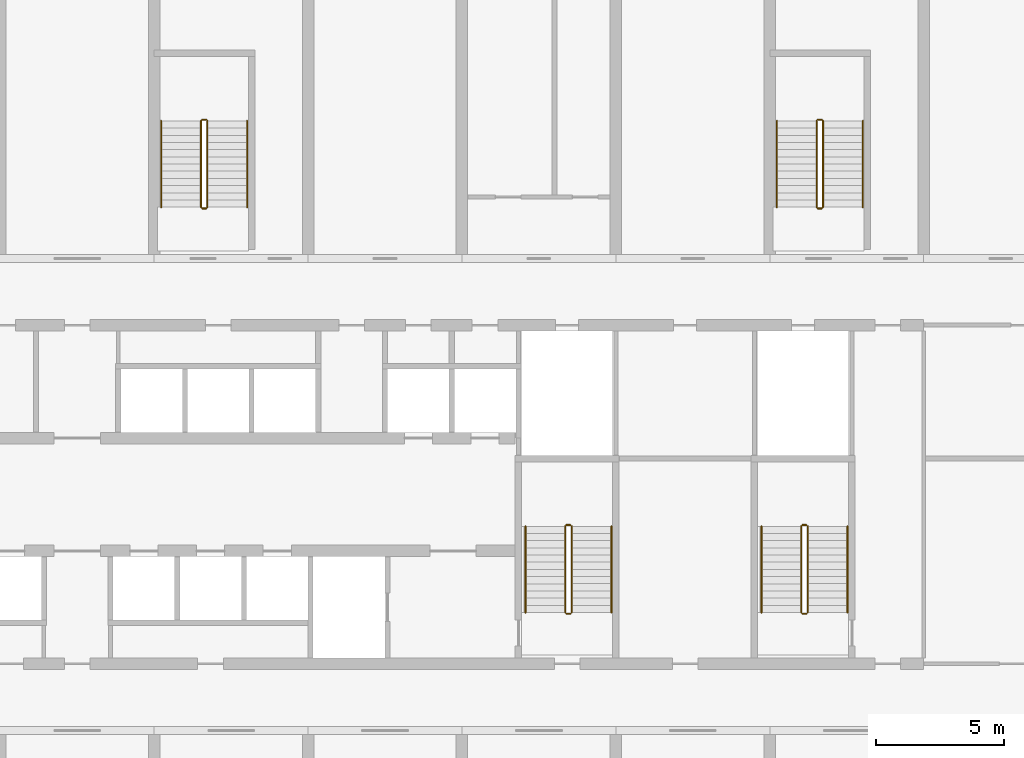
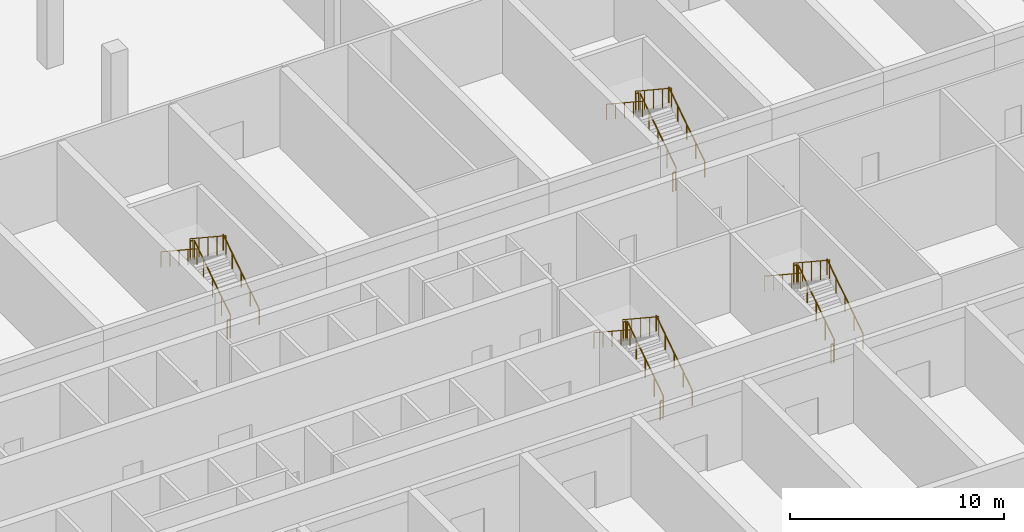
# One storey, part 19 of 20: 24 railings.
"""IFC4 building model written with IfcOpenShell, lengths in metres."""

from ifc_helpers import new_model, si_unit, direction, frame, origin, origin_2d, place, context, subcontext, project, spatial, circle, extrude, material, type_object, element, save


model = new_model("IFC4")

# Units and contexts
model_context = context("Model", 3, precision=1e-05, world=origin(), true_north=direction((0.0, 1.0)))
body_context = subcontext(model_context, "Body", "Model", "MODEL_VIEW")
ifc_project = project(units=[si_unit("LENGTHUNIT", "METRE"), si_unit("AREAUNIT", "SQUARE_METRE"), si_unit("VOLUMEUNIT", "CUBIC_METRE"), si_unit("PLANEANGLEUNIT", "RADIAN"), si_unit("MASSUNIT", "GRAM", prefix="KILO")], contexts=[model_context])

# Site, building, storey
site_placement = place(None, origin())
site = spatial("IfcSite", under=ifc_project, at=site_placement, CompositionType="ELEMENT")
building_placement = place(site_placement, origin())
building = spatial("IfcBuilding", under=site, at=building_placement, Name="Poui Terraces", CompositionType="ELEMENT")
storey_placement = place(building_placement, frame((0.0, 0.0, 6.0)))
storey = spatial("IfcBuildingStorey", under=building, at=storey_placement, Name="L01", CompositionType="ELEMENT", Elevation=6.0)

# Railings
ifc_material_1 = material(Name="Galvanised steel balustrade", Category="steel")
railing_type_1 = type_object("IfcRailingType", Name="STAIR GUARD 1100", PredefinedType="GUARDRAIL", material=ifc_material_1)
railing_1_placement = place(storey_placement, frame((70.27490234375, 16.60009765625, 0.1845703125)))
element("IfcRailing", 1, at=railing_1_placement, inside=storey, type_object=railing_type_1, Name="L01 ST-CE stair guard 1", PredefinedType="GUARDRAIL", context=body_context, shape_type="SweptSolid", body=[
    extrude(circle(Radius=0.02392578125, at=origin_2d()), frame((0.0, 0.0, 1.076171875), z_axis=(0.0, 0.834858096282, 0.550465220583), x_axis=(-1.0, 0.0, 0.0)), (0.0, 0.0, 1.0), 4.0244140625),
    extrude(circle(Radius=0.02099609375, at=origin_2d()), origin(), (0.0, 0.0, 1.0), 1.052001953125),
    extrude(circle(Radius=0.02099609375, at=origin_2d()), frame((0.0, 0.83984375, 0.5537109375)), (0.0, 0.0, 1.0), 1.052001953125),
    extrude(circle(Radius=0.02099609375, at=origin_2d()), frame((0.0, 1.679931640625, 1.107666015625)), (0.0, 0.0, 1.0), 1.052001953125),
    extrude(circle(Radius=0.02099609375, at=origin_2d()), frame((0.0, 2.52001953125, 1.66162109375)), (0.0, 0.0, 1.0), 1.052001953125),
    extrude(circle(Radius=0.02099609375, at=origin_2d()), frame((0.0, 3.35986328125, 2.21533203125)), (0.0, 0.0, 1.0), 1.052001953125),
])
railing_2_placement = place(storey_placement, frame((70.22509765625, 20.010009765625, 2.39990234375)))
element("IfcRailing", 2, at=railing_2_placement, inside=storey, type_object=railing_type_1, Name="L01 ST-CE stair guard 2", PredefinedType="GUARDRAIL", context=body_context, shape_type="SweptSolid", body=[
    extrude(circle(Radius=0.02392578125, at=origin_2d()), frame((0.0, 0.0, 1.076171875), z_axis=(-1.0, 0.0, 0.0), x_axis=(0.0, -1.0, 0.0)), (0.0, 0.0, 1.0), 0.150146484375),
    extrude(circle(Radius=0.02099609375, at=origin_2d()), origin(), (0.0, 0.0, 1.0), 1.052001953125),
    extrude(circle(Radius=0.02099609375, at=origin_2d()), frame((-0.150146484375, 0.0, 0.0)), (0.0, 0.0, 1.0), 1.052001953125),
])
railing_3_placement = place(storey_placement, frame((70.02490234375, 19.9599609375, 2.584716796875)))
element("IfcRailing", 3, at=railing_3_placement, inside=storey, type_object=railing_type_1, Name="L01 ST-CE stair guard 3", PredefinedType="GUARDRAIL", context=body_context, shape_type="SweptSolid", body=[
    extrude(circle(Radius=0.02392578125, at=origin_2d()), frame((0.0, 0.0, 1.076171875), z_axis=(0.0, -0.834858096282, 0.550465220583), x_axis=(1.0, 0.0, 0.0)), (0.0, 0.0, 1.0), 4.0244140625),
    extrude(circle(Radius=0.02099609375, at=origin_2d()), origin(), (0.0, 0.0, 1.0), 1.052001953125),
    extrude(circle(Radius=0.02099609375, at=origin_2d()), frame((0.0, -0.83984375, 0.5537109375)), (0.0, 0.0, 1.0), 1.052001953125),
    extrude(circle(Radius=0.02099609375, at=origin_2d()), frame((0.0, -1.679931640625, 1.107666015625)), (0.0, 0.0, 1.0), 1.052001953125),
    extrude(circle(Radius=0.02099609375, at=origin_2d()), frame((0.0, -2.52001953125, 1.66162109375)), (0.0, 0.0, 1.0), 1.052001953125),
    extrude(circle(Radius=0.02099609375, at=origin_2d()), frame((0.0, -3.35986328125, 2.21533203125)), (0.0, 0.0, 1.0), 1.052001953125),
])
railing_4_placement = place(storey_placement, frame((70.22509765625, 16.550048828125, 0.0)))
element("IfcRailing", 4, at=railing_4_placement, inside=storey, type_object=railing_type_1, Name="L01 ST-CE stair guard 4", PredefinedType="GUARDRAIL", context=body_context, shape_type="SweptSolid", body=[
    extrude(circle(Radius=0.02392578125, at=origin_2d()), frame((0.0, 0.0, 1.076171875), z_axis=(-1.0, 0.0, 0.0), x_axis=(0.0, -1.0, 0.0)), (0.0, 0.0, 1.0), 0.150146484375),
    extrude(circle(Radius=0.02099609375, at=origin_2d()), origin(), (0.0, 0.0, 1.0), 1.052001953125),
    extrude(circle(Radius=0.02099609375, at=origin_2d()), frame((-0.150146484375, 0.0, 0.0)), (0.0, 0.0, 1.0), 1.052001953125),
])
railing_5_placement = place(storey_placement, frame((79.47509765625, 16.60009765625, 0.1845703125)))
element("IfcRailing", 5, at=railing_5_placement, inside=storey, type_object=railing_type_1, Name="L01 ST-E stair guard 1", PredefinedType="GUARDRAIL", context=body_context, shape_type="SweptSolid", body=[
    extrude(circle(Radius=0.02392578125, at=origin_2d()), frame((0.0, 0.0, 1.076171875), z_axis=(0.0, 0.834858096282, 0.550465220583), x_axis=(-1.0, 0.0, 0.0)), (0.0, 0.0, 1.0), 4.0244140625),
    extrude(circle(Radius=0.02099609375, at=origin_2d()), origin(), (0.0, 0.0, 1.0), 1.052001953125),
    extrude(circle(Radius=0.02099609375, at=origin_2d()), frame((0.0, 0.83984375, 0.5537109375)), (0.0, 0.0, 1.0), 1.052001953125),
    extrude(circle(Radius=0.02099609375, at=origin_2d()), frame((0.0, 1.679931640625, 1.107666015625)), (0.0, 0.0, 1.0), 1.052001953125),
    extrude(circle(Radius=0.02099609375, at=origin_2d()), frame((0.0, 2.52001953125, 1.66162109375)), (0.0, 0.0, 1.0), 1.052001953125),
    extrude(circle(Radius=0.02099609375, at=origin_2d()), frame((0.0, 3.35986328125, 2.21533203125)), (0.0, 0.0, 1.0), 1.052001953125),
])
railing_6_placement = place(storey_placement, frame((79.425048828125, 20.010009765625, 2.39990234375)))
element("IfcRailing", 6, at=railing_6_placement, inside=storey, type_object=railing_type_1, Name="L01 ST-E stair guard 2", PredefinedType="GUARDRAIL", context=body_context, shape_type="SweptSolid", body=[
    extrude(circle(Radius=0.02392578125, at=origin_2d()), frame((0.0, 0.0, 1.076171875), z_axis=(-1.0, 0.0, 0.0), x_axis=(0.0, -1.0, 0.0)), (0.0, 0.0, 1.0), 0.150146484375),
    extrude(circle(Radius=0.02099609375, at=origin_2d()), origin(), (0.0, 0.0, 1.0), 1.052001953125),
    extrude(circle(Radius=0.02099609375, at=origin_2d()), frame((-0.150146484375, 0.0, 0.0)), (0.0, 0.0, 1.0), 1.052001953125),
])
railing_7_placement = place(storey_placement, frame((79.22509765625, 19.9599609375, 2.584716796875)))
element("IfcRailing", 7, at=railing_7_placement, inside=storey, type_object=railing_type_1, Name="L01 ST-E stair guard 3", PredefinedType="GUARDRAIL", context=body_context, shape_type="SweptSolid", body=[
    extrude(circle(Radius=0.02392578125, at=origin_2d()), frame((0.0, 0.0, 1.076171875), z_axis=(0.0, -0.834858096282, 0.550465220583), x_axis=(1.0, 0.0, 0.0)), (0.0, 0.0, 1.0), 4.0244140625),
    extrude(circle(Radius=0.02099609375, at=origin_2d()), origin(), (0.0, 0.0, 1.0), 1.052001953125),
    extrude(circle(Radius=0.02099609375, at=origin_2d()), frame((0.0, -0.83984375, 0.5537109375)), (0.0, 0.0, 1.0), 1.052001953125),
    extrude(circle(Radius=0.02099609375, at=origin_2d()), frame((0.0, -1.679931640625, 1.107666015625)), (0.0, 0.0, 1.0), 1.052001953125),
    extrude(circle(Radius=0.02099609375, at=origin_2d()), frame((0.0, -2.52001953125, 1.66162109375)), (0.0, 0.0, 1.0), 1.052001953125),
    extrude(circle(Radius=0.02099609375, at=origin_2d()), frame((0.0, -3.35986328125, 2.21533203125)), (0.0, 0.0, 1.0), 1.052001953125),
])
railing_8_placement = place(storey_placement, frame((79.425048828125, 16.550048828125, 0.0)))
element("IfcRailing", 8, at=railing_8_placement, inside=storey, type_object=railing_type_1, Name="L01 ST-E stair guard 4", PredefinedType="GUARDRAIL", context=body_context, shape_type="SweptSolid", body=[
    extrude(circle(Radius=0.02392578125, at=origin_2d()), frame((0.0, 0.0, 1.076171875), z_axis=(-1.0, 0.0, 0.0), x_axis=(0.0, -1.0, 0.0)), (0.0, 0.0, 1.0), 0.150146484375),
    extrude(circle(Radius=0.02099609375, at=origin_2d()), origin(), (0.0, 0.0, 1.0), 1.052001953125),
    extrude(circle(Radius=0.02099609375, at=origin_2d()), frame((-0.150146484375, 0.0, 0.0)), (0.0, 0.0, 1.0), 1.052001953125),
])
railing_9_placement = place(storey_placement, frame((80.074951171875, 32.39990234375, 0.1845703125)))
element("IfcRailing", 9, at=railing_9_placement, inside=storey, type_object=railing_type_1, Name="L01 ST-N2 stair guard 1", PredefinedType="GUARDRAIL", context=body_context, shape_type="SweptSolid", body=[
    extrude(circle(Radius=0.02392578125, at=origin_2d()), frame((0.0, 0.0, 1.076171875), z_axis=(0.0, 0.834876476806, 0.550437342915), x_axis=(-1.0, 0.0, 0.0)), (0.0, 0.0, 1.0), 4.024658203125),
    extrude(circle(Radius=0.02099609375, at=origin_2d()), origin(), (0.0, 0.0, 1.0), 1.052001953125),
    extrude(circle(Radius=0.02099609375, at=origin_2d()), frame((0.0, 0.840087890625, 0.5537109375)), (0.0, 0.0, 1.0), 1.052001953125),
    extrude(circle(Radius=0.02099609375, at=origin_2d()), frame((0.0, 1.68017578125, 1.107666015625)), (0.0, 0.0, 1.0), 1.052001953125),
    extrude(circle(Radius=0.02099609375, at=origin_2d()), frame((0.0, 2.52001953125, 1.66162109375)), (0.0, 0.0, 1.0), 1.052001953125),
    extrude(circle(Radius=0.02099609375, at=origin_2d()), frame((0.0, 3.360107421875, 2.21533203125)), (0.0, 0.0, 1.0), 1.052001953125),
])
railing_10_placement = place(storey_placement, frame((80.02490234375, 35.81005859375, 2.39990234375)))
element("IfcRailing", 10, at=railing_10_placement, inside=storey, type_object=railing_type_1, Name="L01 ST-N2 stair guard 2", PredefinedType="GUARDRAIL", context=body_context, shape_type="SweptSolid", body=[
    extrude(circle(Radius=0.02392578125, at=origin_2d()), frame((0.0, 0.0, 1.076171875), z_axis=(-1.0, 0.0, 0.0), x_axis=(0.0, -1.0, 0.0)), (0.0, 0.0, 1.0), 0.14990234375),
    extrude(circle(Radius=0.02099609375, at=origin_2d()), origin(), (0.0, 0.0, 1.0), 1.052001953125),
    extrude(circle(Radius=0.02099609375, at=origin_2d()), frame((-0.14990234375, 0.0, 0.0)), (0.0, 0.0, 1.0), 1.052001953125),
])
railing_11_placement = place(storey_placement, frame((79.824951171875, 35.760009765625, 2.584716796875)))
element("IfcRailing", 11, at=railing_11_placement, inside=storey, type_object=railing_type_1, Name="L01 ST-N2 stair guard 3", PredefinedType="GUARDRAIL", context=body_context, shape_type="SweptSolid", body=[
    extrude(circle(Radius=0.02392578125, at=origin_2d()), frame((0.0, 0.0, 1.076171875), z_axis=(0.0, -0.834876476806, 0.550437342915), x_axis=(1.0, 0.0, 0.0)), (0.0, 0.0, 1.0), 4.024658203125),
    extrude(circle(Radius=0.02099609375, at=origin_2d()), origin(), (0.0, 0.0, 1.0), 1.052001953125),
    extrude(circle(Radius=0.02099609375, at=origin_2d()), frame((0.0, -0.840087890625, 0.5537109375)), (0.0, 0.0, 1.0), 1.052001953125),
    extrude(circle(Radius=0.02099609375, at=origin_2d()), frame((0.0, -1.68017578125, 1.107666015625)), (0.0, 0.0, 1.0), 1.052001953125),
    extrude(circle(Radius=0.02099609375, at=origin_2d()), frame((0.0, -2.52001953125, 1.66162109375)), (0.0, 0.0, 1.0), 1.052001953125),
    extrude(circle(Radius=0.02099609375, at=origin_2d()), frame((0.0, -3.360107421875, 2.21533203125)), (0.0, 0.0, 1.0), 1.052001953125),
])
railing_12_placement = place(storey_placement, frame((80.02490234375, 32.35009765625, 0.0)))
element("IfcRailing", 12, at=railing_12_placement, inside=storey, type_object=railing_type_1, Name="L01 ST-N2 stair guard 4", PredefinedType="GUARDRAIL", context=body_context, shape_type="SweptSolid", body=[
    extrude(circle(Radius=0.02392578125, at=origin_2d()), frame((0.0, 0.0, 1.076171875), z_axis=(-1.0, 0.0, 0.0), x_axis=(0.0, -1.0, 0.0)), (0.0, 0.0, 1.0), 0.14990234375),
    extrude(circle(Radius=0.02099609375, at=origin_2d()), origin(), (0.0, 0.0, 1.0), 1.052001953125),
    extrude(circle(Radius=0.02099609375, at=origin_2d()), frame((-0.14990234375, 0.0, 0.0)), (0.0, 0.0, 1.0), 1.052001953125),
])
railing_13_placement = place(storey_placement, frame((56.074951171875, 32.39990234375, 0.1845703125)))
element("IfcRailing", 13, at=railing_13_placement, inside=storey, type_object=railing_type_1, Name="L01 ST-N3 stair guard 1", PredefinedType="GUARDRAIL", context=body_context, shape_type="SweptSolid", body=[
    extrude(circle(Radius=0.02392578125, at=origin_2d()), frame((0.0, 0.0, 1.076171875), z_axis=(0.0, 0.834876476806, 0.550437342915), x_axis=(-1.0, 0.0, 0.0)), (0.0, 0.0, 1.0), 4.024658203125),
    extrude(circle(Radius=0.02099609375, at=origin_2d()), origin(), (0.0, 0.0, 1.0), 1.052001953125),
    extrude(circle(Radius=0.02099609375, at=origin_2d()), frame((0.0, 0.840087890625, 0.5537109375)), (0.0, 0.0, 1.0), 1.052001953125),
    extrude(circle(Radius=0.02099609375, at=origin_2d()), frame((0.0, 1.68017578125, 1.107666015625)), (0.0, 0.0, 1.0), 1.052001953125),
    extrude(circle(Radius=0.02099609375, at=origin_2d()), frame((0.0, 2.52001953125, 1.66162109375)), (0.0, 0.0, 1.0), 1.052001953125),
    extrude(circle(Radius=0.02099609375, at=origin_2d()), frame((0.0, 3.360107421875, 2.21533203125)), (0.0, 0.0, 1.0), 1.052001953125),
])
railing_14_placement = place(storey_placement, frame((56.02490234375, 35.81005859375, 2.39990234375)))
element("IfcRailing", 14, at=railing_14_placement, inside=storey, type_object=railing_type_1, Name="L01 ST-N3 stair guard 2", PredefinedType="GUARDRAIL", context=body_context, shape_type="SweptSolid", body=[
    extrude(circle(Radius=0.02392578125, at=origin_2d()), frame((0.0, 0.0, 1.076171875), z_axis=(-1.0, 0.0, 0.0), x_axis=(0.0, -1.0, 0.0)), (0.0, 0.0, 1.0), 0.14990234375),
    extrude(circle(Radius=0.02099609375, at=origin_2d()), origin(), (0.0, 0.0, 1.0), 1.052001953125),
    extrude(circle(Radius=0.02099609375, at=origin_2d()), frame((-0.14990234375, 0.0, 0.0)), (0.0, 0.0, 1.0), 1.052001953125),
])
railing_15_placement = place(storey_placement, frame((55.824951171875, 35.760009765625, 2.584716796875)))
element("IfcRailing", 15, at=railing_15_placement, inside=storey, type_object=railing_type_1, Name="L01 ST-N3 stair guard 3", PredefinedType="GUARDRAIL", context=body_context, shape_type="SweptSolid", body=[
    extrude(circle(Radius=0.02392578125, at=origin_2d()), frame((0.0, 0.0, 1.076171875), z_axis=(0.0, -0.834876476806, 0.550437342915), x_axis=(1.0, 0.0, 0.0)), (0.0, 0.0, 1.0), 4.024658203125),
    extrude(circle(Radius=0.02099609375, at=origin_2d()), origin(), (0.0, 0.0, 1.0), 1.052001953125),
    extrude(circle(Radius=0.02099609375, at=origin_2d()), frame((0.0, -0.840087890625, 0.5537109375)), (0.0, 0.0, 1.0), 1.052001953125),
    extrude(circle(Radius=0.02099609375, at=origin_2d()), frame((0.0, -1.68017578125, 1.107666015625)), (0.0, 0.0, 1.0), 1.052001953125),
    extrude(circle(Radius=0.02099609375, at=origin_2d()), frame((0.0, -2.52001953125, 1.66162109375)), (0.0, 0.0, 1.0), 1.052001953125),
    extrude(circle(Radius=0.02099609375, at=origin_2d()), frame((0.0, -3.360107421875, 2.21533203125)), (0.0, 0.0, 1.0), 1.052001953125),
])
railing_16_placement = place(storey_placement, frame((56.02490234375, 32.35009765625, 0.0)))
element("IfcRailing", 16, at=railing_16_placement, inside=storey, type_object=railing_type_1, Name="L01 ST-N3 stair guard 4", PredefinedType="GUARDRAIL", context=body_context, shape_type="SweptSolid", body=[
    extrude(circle(Radius=0.02392578125, at=origin_2d()), frame((0.0, 0.0, 1.076171875), z_axis=(-1.0, 0.0, 0.0), x_axis=(0.0, -1.0, 0.0)), (0.0, 0.0, 1.0), 0.14990234375),
    extrude(circle(Radius=0.02099609375, at=origin_2d()), origin(), (0.0, 0.0, 1.0), 1.052001953125),
    extrude(circle(Radius=0.02099609375, at=origin_2d()), frame((-0.14990234375, 0.0, 0.0)), (0.0, 0.0, 1.0), 1.052001953125),
])
ifc_material_2 = material(Name="Stainless steel handrail", Category="steel")
railing_type_2 = type_object("IfcRailingType", Name="STAIR HANDRAIL 900", PredefinedType="HANDRAIL", material=ifc_material_2)
railing_17_placement = place(storey_placement, frame((71.824951171875, 16.60009765625, 0.1845703125)))
element("IfcRailing", 17, at=railing_17_placement, inside=storey, type_object=railing_type_2, Name="L01 ST-CE stair handrail 1", PredefinedType="HANDRAIL", context=body_context, shape_type="SweptSolid", body=[
    extrude(circle(Radius=0.02392578125, at=origin_2d()), frame((0.0, 0.0, 0.8759765625), z_axis=(0.0, 0.834858096282, 0.550465220583), x_axis=(-1.0, 0.0, 0.0)), (0.0, 0.0, 1.0), 4.0244140625),
    extrude(circle(Radius=0.02099609375, at=origin_2d()), origin(), (0.0, 0.0, 1.0), 0.851806640625),
    extrude(circle(Radius=0.02099609375, at=origin_2d()), frame((0.0, 0.83984375, 0.5537109375)), (0.0, 0.0, 1.0), 0.851806640625),
    extrude(circle(Radius=0.02099609375, at=origin_2d()), frame((0.0, 1.679931640625, 1.107666015625)), (0.0, 0.0, 1.0), 0.851806640625),
    extrude(circle(Radius=0.02099609375, at=origin_2d()), frame((0.0, 2.52001953125, 1.66162109375)), (0.0, 0.0, 1.0), 0.851806640625),
    extrude(circle(Radius=0.02099609375, at=origin_2d()), frame((0.0, 3.35986328125, 2.21533203125)), (0.0, 0.0, 1.0), 0.851806640625),
])
railing_18_placement = place(storey_placement, frame((68.47509765625, 19.9599609375, 2.584716796875)))
element("IfcRailing", 18, at=railing_18_placement, inside=storey, type_object=railing_type_2, Name="L01 ST-CE stair handrail 2", PredefinedType="HANDRAIL", context=body_context, shape_type="SweptSolid", body=[
    extrude(circle(Radius=0.02392578125, at=origin_2d()), frame((0.0, 0.0, 0.8759765625), z_axis=(0.0, -0.834858096282, 0.550465220583), x_axis=(1.0, 0.0, 0.0)), (0.0, 0.0, 1.0), 4.0244140625),
    extrude(circle(Radius=0.02099609375, at=origin_2d()), origin(), (0.0, 0.0, 1.0), 0.851806640625),
    extrude(circle(Radius=0.02099609375, at=origin_2d()), frame((0.0, -0.83984375, 0.5537109375)), (0.0, 0.0, 1.0), 0.851806640625),
    extrude(circle(Radius=0.02099609375, at=origin_2d()), frame((0.0, -1.679931640625, 1.107666015625)), (0.0, 0.0, 1.0), 0.851806640625),
    extrude(circle(Radius=0.02099609375, at=origin_2d()), frame((0.0, -2.52001953125, 1.66162109375)), (0.0, 0.0, 1.0), 0.851806640625),
    extrude(circle(Radius=0.02099609375, at=origin_2d()), frame((0.0, -3.35986328125, 2.21533203125)), (0.0, 0.0, 1.0), 0.851806640625),
])
railing_19_placement = place(storey_placement, frame((81.02490234375, 16.60009765625, 0.1845703125)))
element("IfcRailing", 19, at=railing_19_placement, inside=storey, type_object=railing_type_2, Name="L01 ST-E stair handrail 1", PredefinedType="HANDRAIL", context=body_context, shape_type="SweptSolid", body=[
    extrude(circle(Radius=0.02392578125, at=origin_2d()), frame((0.0, 0.0, 0.8759765625), z_axis=(0.0, 0.834858096282, 0.550465220583), x_axis=(-1.0, 0.0, 0.0)), (0.0, 0.0, 1.0), 4.0244140625),
    extrude(circle(Radius=0.02099609375, at=origin_2d()), origin(), (0.0, 0.0, 1.0), 0.851806640625),
    extrude(circle(Radius=0.02099609375, at=origin_2d()), frame((0.0, 0.83984375, 0.5537109375)), (0.0, 0.0, 1.0), 0.851806640625),
    extrude(circle(Radius=0.02099609375, at=origin_2d()), frame((0.0, 1.679931640625, 1.107666015625)), (0.0, 0.0, 1.0), 0.851806640625),
    extrude(circle(Radius=0.02099609375, at=origin_2d()), frame((0.0, 2.52001953125, 1.66162109375)), (0.0, 0.0, 1.0), 0.851806640625),
    extrude(circle(Radius=0.02099609375, at=origin_2d()), frame((0.0, 3.35986328125, 2.21533203125)), (0.0, 0.0, 1.0), 0.851806640625),
])
railing_20_placement = place(storey_placement, frame((77.675048828125, 19.9599609375, 2.584716796875)))
element("IfcRailing", 20, at=railing_20_placement, inside=storey, type_object=railing_type_2, Name="L01 ST-E stair handrail 2", PredefinedType="HANDRAIL", context=body_context, shape_type="SweptSolid", body=[
    extrude(circle(Radius=0.02392578125, at=origin_2d()), frame((0.0, 0.0, 0.8759765625), z_axis=(0.0, -0.834858096282, 0.550465220583), x_axis=(1.0, 0.0, 0.0)), (0.0, 0.0, 1.0), 4.0244140625),
    extrude(circle(Radius=0.02099609375, at=origin_2d()), origin(), (0.0, 0.0, 1.0), 0.851806640625),
    extrude(circle(Radius=0.02099609375, at=origin_2d()), frame((0.0, -0.83984375, 0.5537109375)), (0.0, 0.0, 1.0), 0.851806640625),
    extrude(circle(Radius=0.02099609375, at=origin_2d()), frame((0.0, -1.679931640625, 1.107666015625)), (0.0, 0.0, 1.0), 0.851806640625),
    extrude(circle(Radius=0.02099609375, at=origin_2d()), frame((0.0, -2.52001953125, 1.66162109375)), (0.0, 0.0, 1.0), 0.851806640625),
    extrude(circle(Radius=0.02099609375, at=origin_2d()), frame((0.0, -3.35986328125, 2.21533203125)), (0.0, 0.0, 1.0), 0.851806640625),
])
railing_21_placement = place(storey_placement, frame((81.625, 32.39990234375, 0.1845703125)))
element("IfcRailing", 21, at=railing_21_placement, inside=storey, type_object=railing_type_2, Name="L01 ST-N2 stair handrail 1", PredefinedType="HANDRAIL", context=body_context, shape_type="SweptSolid", body=[
    extrude(circle(Radius=0.02392578125, at=origin_2d()), frame((0.0, 0.0, 0.8759765625), z_axis=(0.0, 0.834876476806, 0.550437342915), x_axis=(-1.0, 0.0, 0.0)), (0.0, 0.0, 1.0), 4.024658203125),
    extrude(circle(Radius=0.02099609375, at=origin_2d()), origin(), (0.0, 0.0, 1.0), 0.851806640625),
    extrude(circle(Radius=0.02099609375, at=origin_2d()), frame((0.0, 0.840087890625, 0.5537109375)), (0.0, 0.0, 1.0), 0.851806640625),
    extrude(circle(Radius=0.02099609375, at=origin_2d()), frame((0.0, 1.68017578125, 1.107666015625)), (0.0, 0.0, 1.0), 0.851806640625),
    extrude(circle(Radius=0.02099609375, at=origin_2d()), frame((0.0, 2.52001953125, 1.66162109375)), (0.0, 0.0, 1.0), 0.851806640625),
    extrude(circle(Radius=0.02099609375, at=origin_2d()), frame((0.0, 3.360107421875, 2.21533203125)), (0.0, 0.0, 1.0), 0.851806640625),
])
railing_22_placement = place(storey_placement, frame((78.27490234375, 35.760009765625, 2.584716796875)))
element("IfcRailing", 22, at=railing_22_placement, inside=storey, type_object=railing_type_2, Name="L01 ST-N2 stair handrail 2", PredefinedType="HANDRAIL", context=body_context, shape_type="SweptSolid", body=[
    extrude(circle(Radius=0.02392578125, at=origin_2d()), frame((0.0, 0.0, 0.8759765625), z_axis=(0.0, -0.834876476806, 0.550437342915), x_axis=(1.0, 0.0, 0.0)), (0.0, 0.0, 1.0), 4.024658203125),
    extrude(circle(Radius=0.02099609375, at=origin_2d()), origin(), (0.0, 0.0, 1.0), 0.851806640625),
    extrude(circle(Radius=0.02099609375, at=origin_2d()), frame((0.0, -0.840087890625, 0.5537109375)), (0.0, 0.0, 1.0), 0.851806640625),
    extrude(circle(Radius=0.02099609375, at=origin_2d()), frame((0.0, -1.68017578125, 1.107666015625)), (0.0, 0.0, 1.0), 0.851806640625),
    extrude(circle(Radius=0.02099609375, at=origin_2d()), frame((0.0, -2.52001953125, 1.66162109375)), (0.0, 0.0, 1.0), 0.851806640625),
    extrude(circle(Radius=0.02099609375, at=origin_2d()), frame((0.0, -3.360107421875, 2.21533203125)), (0.0, 0.0, 1.0), 0.851806640625),
])
railing_23_placement = place(storey_placement, frame((57.625, 32.39990234375, 0.1845703125)))
element("IfcRailing", 23, at=railing_23_placement, inside=storey, type_object=railing_type_2, Name="L01 ST-N3 stair handrail 1", PredefinedType="HANDRAIL", context=body_context, shape_type="SweptSolid", body=[
    extrude(circle(Radius=0.02392578125, at=origin_2d()), frame((0.0, 0.0, 0.8759765625), z_axis=(0.0, 0.834876476806, 0.550437342915), x_axis=(-1.0, 0.0, 0.0)), (0.0, 0.0, 1.0), 4.024658203125),
    extrude(circle(Radius=0.02099609375, at=origin_2d()), origin(), (0.0, 0.0, 1.0), 0.851806640625),
    extrude(circle(Radius=0.02099609375, at=origin_2d()), frame((0.0, 0.840087890625, 0.5537109375)), (0.0, 0.0, 1.0), 0.851806640625),
    extrude(circle(Radius=0.02099609375, at=origin_2d()), frame((0.0, 1.68017578125, 1.107666015625)), (0.0, 0.0, 1.0), 0.851806640625),
    extrude(circle(Radius=0.02099609375, at=origin_2d()), frame((0.0, 2.52001953125, 1.66162109375)), (0.0, 0.0, 1.0), 0.851806640625),
    extrude(circle(Radius=0.02099609375, at=origin_2d()), frame((0.0, 3.360107421875, 2.21533203125)), (0.0, 0.0, 1.0), 0.851806640625),
])
railing_24_placement = place(storey_placement, frame((54.27490234375, 35.760009765625, 2.584716796875)))
element("IfcRailing", 24, at=railing_24_placement, inside=storey, type_object=railing_type_2, Name="L01 ST-N3 stair handrail 2", PredefinedType="HANDRAIL", context=body_context, shape_type="SweptSolid", body=[
    extrude(circle(Radius=0.02392578125, at=origin_2d()), frame((0.0, 0.0, 0.8759765625), z_axis=(0.0, -0.834876476806, 0.550437342915), x_axis=(1.0, 0.0, 0.0)), (0.0, 0.0, 1.0), 4.024658203125),
    extrude(circle(Radius=0.02099609375, at=origin_2d()), origin(), (0.0, 0.0, 1.0), 0.851806640625),
    extrude(circle(Radius=0.02099609375, at=origin_2d()), frame((0.0, -0.840087890625, 0.5537109375)), (0.0, 0.0, 1.0), 0.851806640625),
    extrude(circle(Radius=0.02099609375, at=origin_2d()), frame((0.0, -1.68017578125, 1.107666015625)), (0.0, 0.0, 1.0), 0.851806640625),
    extrude(circle(Radius=0.02099609375, at=origin_2d()), frame((0.0, -2.52001953125, 1.66162109375)), (0.0, 0.0, 1.0), 0.851806640625),
    extrude(circle(Radius=0.02099609375, at=origin_2d()), frame((0.0, -3.360107421875, 2.21533203125)), (0.0, 0.0, 1.0), 0.851806640625),
])

save(model, "model.ifc")
